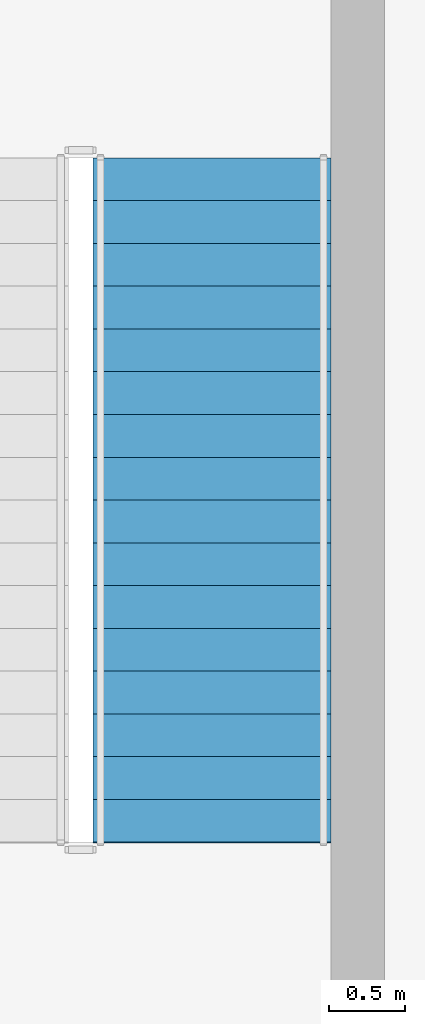
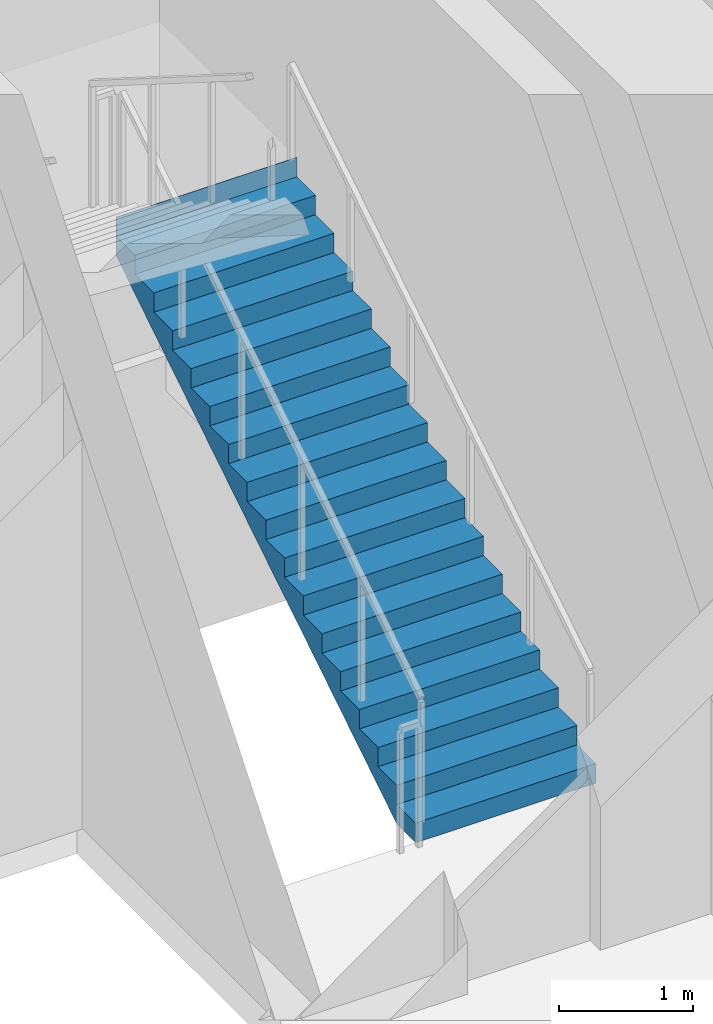
# One storey, part 22 of 25: 1 stair flight, 1 element without a shape of its own.
"""IFC4 building model written with IfcOpenShell, lengths in metres."""

from ifc_helpers import new_model, si_unit, direction, frame, origin, place, context, subcontext, project, spatial, polyline, outline, extrude, material, type_object, element, aggregate, save


model = new_model("IFC4")

# Units and contexts
model_context = context("Model", 3, precision=1e-05, world=origin(), true_north=direction((0.0, 1.0)))
body_context = subcontext(model_context, "Body", "Model", "MODEL_VIEW")
ifc_project = project(units=[si_unit("LENGTHUNIT", "METRE"), si_unit("AREAUNIT", "SQUARE_METRE"), si_unit("VOLUMEUNIT", "CUBIC_METRE"), si_unit("PLANEANGLEUNIT", "RADIAN"), si_unit("MASSUNIT", "GRAM", prefix="KILO")], contexts=[model_context])

# Site, building, storey
site_placement = place(None, origin())
site = spatial("IfcSite", under=ifc_project, at=site_placement, CompositionType="ELEMENT")
building_placement = place(site_placement, origin())
building = spatial("IfcBuilding", under=site, at=building_placement, Name="Kaelvorn Grand Hotel", CompositionType="ELEMENT")
storey_placement = place(building_placement, frame((0.0, 0.0, 8.0)))
storey = spatial("IfcBuildingStorey", under=building, at=storey_placement, Name="L01", CompositionType="ELEMENT", Elevation=8.0)

# Stair, stair flight
ifc_material = material(Name="Concrete C40/50", Category="concrete")
stair_type = type_object("IfcStairType", Name="STR-DOG-1560-R03", PredefinedType="HALF_TURN_STAIR", material=ifc_material)
stair_placement = place(storey_placement, origin())
stair = element("IfcStair", 1, at=stair_placement, inside=storey, type_object=stair_type, Name="L01 East Core Exit Stair ST3", PredefinedType="HALF_TURN_STAIR")
stair_flight_type = type_object("IfcStairFlightType", Name="FLG-DOG-1560-R03", PredefinedType="STRAIGHT", material=ifc_material)
stair_flight_placement = place(storey_placement, frame((65.820068359375, 41.760009765625, 0.0), z_axis=(0.0, 0.0, 1.0), x_axis=(0.0, 1.0, 0.0)))
stair_flight = element("IfcStairFlight", 2, at=stair_flight_placement, type_object=stair_flight_type, Name="ST3 flight 1", NumberOfRisers=17, NumberOfTreads=16, PredefinedType="STRAIGHT", RiserHeight=0.176470588, TreadLength=0.28, context=body_context, shape_type="SweptSolid", body=[
    extrude(outline(polyline([(-0.0048828125, 0.0), (-0.0048828125, 0.0400390625), (0.0, 0.176513671875), (0.280029296875, 0.176513671875), (0.280029296875, 0.35302734375), (0.56005859375, 0.35302734375), (0.56005859375, 0.529296875), (0.840087890625, 0.529296875), (0.840087890625, 0.705810546875), (1.1201171875, 0.705810546875), (1.1201171875, 0.88232421875), (1.39990234375, 0.88232421875), (1.39990234375, 1.058837890625), (1.679931640625, 1.058837890625), (1.679931640625, 1.2353515625), (1.9599609375, 1.2353515625), (1.9599609375, 1.411865234375), (2.239990234375, 1.411865234375), (2.239990234375, 1.588134765625), (2.52001953125, 1.588134765625), (2.52001953125, 1.7646484375), (2.800048828125, 1.7646484375), (2.800048828125, 1.941162109375), (3.080078125, 1.941162109375), (3.080078125, 2.11767578125), (3.360107421875, 2.11767578125), (3.360107421875, 2.294189453125), (3.639892578125, 2.294189453125), (3.639892578125, 2.470703125), (3.919921875, 2.470703125), (3.919921875, 2.64697265625), (4.199951171875, 2.64697265625), (4.199951171875, 2.823486328125), (4.47998046875, 2.823486328125), (4.47998046875, 3.0), (4.485107421875, 3.0), (4.485107421875, 2.646240234375), (0.28125, 0.0), (-0.0048828125, 0.0)])), frame((0.0, 0.780029296875, 0.0), z_axis=(0.0, -1.0, 0.0), x_axis=(1.0, 0.0, 0.0)), (0.0, 0.0, 1.0), 1.56005859375),
])
aggregate(stair, [stair_flight])

save(model, "model.ifc")
